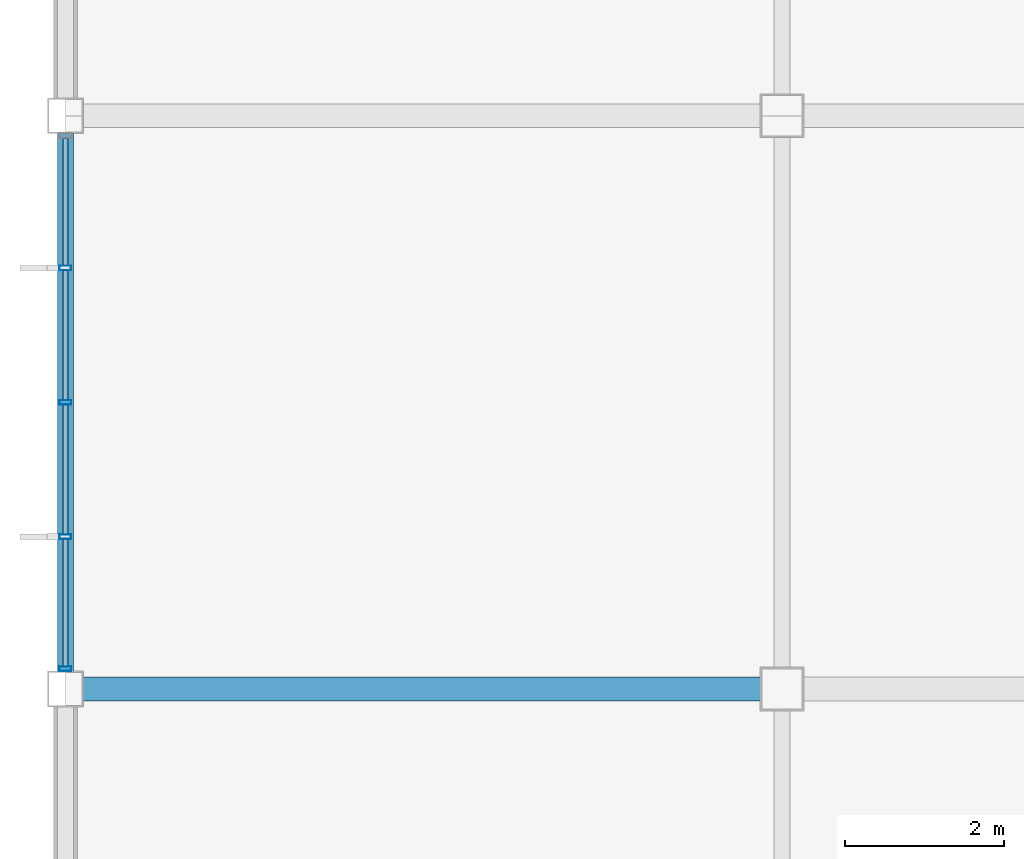
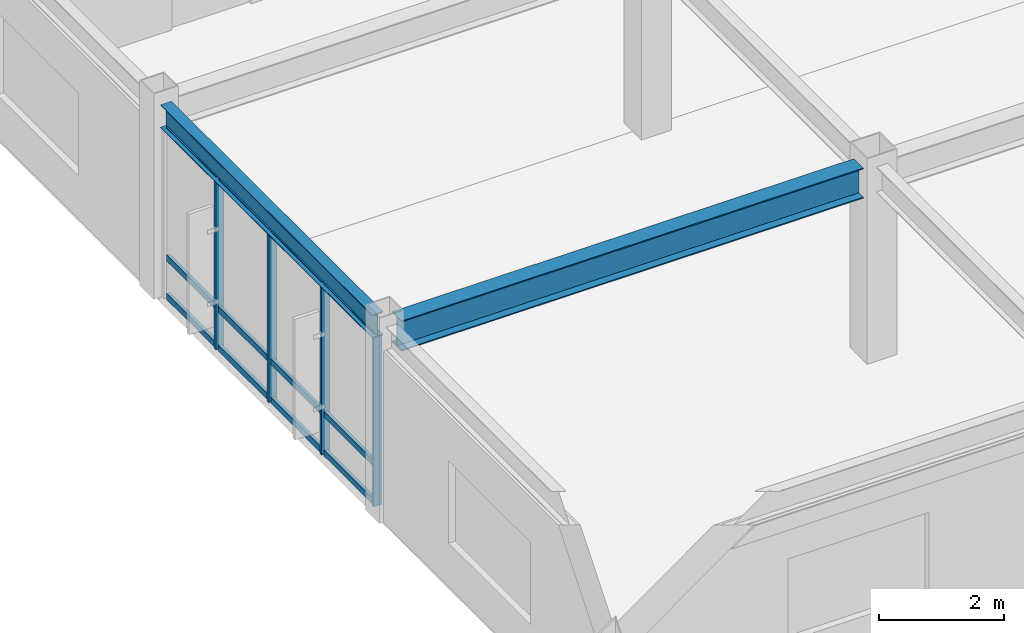
# One storey, part 52 of 113: 16 members, 2 beams, 1 element without a shape of its own.
"""IFC4 building model written with IfcOpenShell, lengths in metres."""

import ifcopenshell
import ifcopenshell.guid

model = None  # the IFC model being written
_history = None  # IfcOwnerHistory: only IFC2X3 demands one
_inside = {}  # id of a spatial element -> (the spatial element, [elements in it])
_under = {}  # id of a project, library or spatial element -> (it, [spatial elements below it])
_declared = {}  # id of a project -> (the project, [libraries it declares])
_typed = {}  # id of a type object -> (the type object, [elements of that type])
_made_of = {}  # id of a material, layer set ... -> (it, [elements and type objects made of it])


def new_model(schema):
    """Start an empty IFC model of exactly this schema.

    Asked for "IFC4X3", IfcOpenShell would pick the latest addendum, in which some entities
    have other attributes; the version numbers below select the first issue.
    IFC2X3 requires an IfcOwnerHistory on every rooted entity: one is made here for all.
    """
    global model, _history
    if schema == "IFC4X3":
        model = ifcopenshell.file(schema_version=(4, 3, 0, 0))
    else:
        model = ifcopenshell.file(schema=schema)
    _inside.clear()
    _under.clear()
    _declared.clear()
    _typed.clear()
    _made_of.clear()
    _history = None
    if model.schema == "IFC2X3":
        org = make("IfcOrganization", Name="unknown")
        user = make(
            "IfcPersonAndOrganization",
            ThePerson=make("IfcPerson", FamilyName="unknown"),
            TheOrganization=org,
        )
        app = make(
            "IfcApplication",
            ApplicationDeveloper=org,
            Version="unknown",
            ApplicationFullName="unknown",
            ApplicationIdentifier="unknown",
        )
        _history = make(
            "IfcOwnerHistory",
            OwningUser=user,
            OwningApplication=app,
            ChangeAction="ADDED",
            CreationDate=0,
        )
    return model


def make(cls, **values):
    """One entity of the class cls with the attributes given. An attribute that is None is left unset."""
    return model.create_entity(
        cls, **{name: value for name, value in values.items() if value is not None}
    )


def rooted(cls, **values):
    """An entity with a GlobalId (a new one), such as an element, a storey or a relation."""
    return make(cls, GlobalId=ifcopenshell.guid.new(), OwnerHistory=_history, **values)


def si_unit(unit_type, name, prefix=None):
    """IfcSIUnit, for example si_unit("LENGTHUNIT", "METRE", prefix="MILLI")."""
    return make("IfcSIUnit", UnitType=unit_type, Prefix=prefix, Name=name)


def assignment(units):
    """IfcUnitAssignment: the units of a project."""
    return None if units is None else make("IfcUnitAssignment", Units=units)


def point(xyz):
    """IfcCartesianPoint."""
    return None if xyz is None else make("IfcCartesianPoint", Coordinates=xyz)


def direction(xyz):
    """IfcDirection."""
    return None if xyz is None else make("IfcDirection", DirectionRatios=xyz)


def frame(location, z_axis=None, x_axis=None):
    """IfcAxis2Placement3D, a coordinate frame: its origin and axes. An axis left out is left unset."""
    return make(
        "IfcAxis2Placement3D",
        Location=point(location),
        Axis=direction(z_axis),
        RefDirection=direction(x_axis),
    )


def frame_2d(location, x_axis=None):
    """IfcAxis2Placement2D, a coordinate frame in the plane: its origin and x axis."""
    return make(
        "IfcAxis2Placement2D", Location=point(location), RefDirection=direction(x_axis)
    )


def origin():
    """The frame at (0, 0, 0) with its axes left unset."""
    return frame((0.0, 0.0, 0.0))


def origin_2d():
    """The frame at (0, 0) in the plane with its x axis left unset."""
    return frame_2d((0.0, 0.0))


def place(relative_to, where):
    """IfcLocalPlacement: puts the frame where relative to a parent placement (None: the world)."""
    return make(
        "IfcLocalPlacement", PlacementRelTo=relative_to, RelativePlacement=where
    )


def context(
    kind, dimensions, precision=None, world=None, true_north=None, identifier=None
):
    """IfcGeometricRepresentationContext, for example the 3D "Model" context."""
    return make(
        "IfcGeometricRepresentationContext",
        ContextIdentifier=identifier,
        ContextType=kind,
        CoordinateSpaceDimension=dimensions,
        Precision=precision,
        WorldCoordinateSystem=world,
        TrueNorth=true_north,
    )


def subcontext(parent, identifier, kind, view, scale=None):
    """IfcGeometricRepresentationSubContext, for example "Body" below "Model"."""
    return make(
        "IfcGeometricRepresentationSubContext",
        ContextIdentifier=identifier,
        ContextType=kind,
        ParentContext=parent,
        TargetScale=scale,
        TargetView=view,
    )


def project(units=None, contexts=None):
    """IfcProject with its units and contexts."""
    return rooted(
        "IfcProject",
        Name="project",
        RepresentationContexts=contexts,
        UnitsInContext=assignment(units),
    )


def spatial(cls, under=None, at=None, **own):
    """A site, building, storey or space (cls), placed at a placement, below another one or the project."""
    s = rooted(cls, ObjectPlacement=at, **own)
    if under is not None:
        _under.setdefault(under.id(), (under, []))[1].append(s)
    return s


def profile(cls, at=None, kind="AREA", **sizes):
    """A parametric profile (cls). Its sizes go by their IFC names, for example OverallWidth=200.0."""
    return make(cls, ProfileType=kind, Position=at, **sizes)


def hollow_rectangle(**sizes):
    """IfcRectangleHollowProfileDef."""
    return profile("IfcRectangleHollowProfileDef", **sizes)


def i_section(**sizes):
    """IfcIShapeProfileDef."""
    return profile("IfcIShapeProfileDef", **sizes)


def extrude(swept, where, along, depth):
    """IfcExtrudedAreaSolid: the profile swept, set in the frame where, extruded along a direction by depth."""
    return make(
        "IfcExtrudedAreaSolid",
        SweptArea=swept,
        Position=where,
        ExtrudedDirection=direction(along),
        Depth=depth,
    )


def shape(context_of_items, identifier, shape_type, items):
    """IfcShapeRepresentation: the items that make up one representation, for example the "Body"."""
    return make(
        "IfcShapeRepresentation",
        ContextOfItems=context_of_items,
        RepresentationIdentifier=identifier,
        RepresentationType=shape_type,
        Items=items,
    )


def material(Name=None, Category=None):
    """IfcMaterial."""
    return make("IfcMaterial", Name=Name, Category=Category)


def material_profile(
    of_material, cross_section, Name=None, Category=None, Priority=None
):
    """IfcMaterialProfile: a cross section and its material."""
    return make(
        "IfcMaterialProfile",
        Name=Name,
        Material=of_material,
        Profile=cross_section,
        Priority=Priority,
        Category=Category,
    )


def profile_set(profiles, Name=None, composite=None):
    """IfcMaterialProfileSet."""
    return make(
        "IfcMaterialProfileSet",
        Name=Name,
        MaterialProfiles=profiles,
        CompositeProfile=composite,
    )


def made_of(thing, what):
    """Note that an element or type object is made of a material, layer set ...; save() writes the relation."""
    if what is not None:
        _made_of.setdefault(what.id(), (what, []))[1].append(thing)
    return thing


def type_object(cls, material=None, **own):
    """A type object (cls), such as IfcWallType, which elements share."""
    return made_of(rooted(cls, **own), material)


def element(
    cls,
    number,
    at=None,
    inside=None,
    cuts=None,
    type_object=None,
    material=None,
    context=None,
    identifier="Body",
    shape_type=None,
    held_by="IfcProductDefinitionShape",
    body=None,
    shapes=None,
    **own,
):
    """One element of the class cls, such as IfcWall. Its Tag is "e" and its number.

    at: its placement. inside: the storey or other place that contains it. cuts: it is an
    opening in that element (IfcRelVoidsElement). A single representation is given by context,
    identifier, shape_type and body (its items); several are given by shapes. held_by: the class
    of the entity that holds the representations. save() writes the other relations.
    """
    e = rooted(cls, Tag="e%d" % number, ObjectPlacement=at, **own)
    if body is not None:
        shapes = [shape(context, identifier, shape_type, body)]
    if shapes is not None:
        e.Representation = make(held_by, Representations=shapes)
    if inside is not None:
        _inside.setdefault(inside.id(), (inside, []))[1].append(e)
    if cuts is not None:
        rooted(
            "IfcRelVoidsElement", RelatingBuildingElement=cuts, RelatedOpeningElement=e
        )
    if type_object is not None:
        _typed.setdefault(type_object.id(), (type_object, []))[1].append(e)
    return made_of(e, material)


def aggregate(whole, parts):
    """IfcRelAggregates: a whole, such as a stair, and the parts it consists of."""
    return rooted("IfcRelAggregates", RelatingObject=whole, RelatedObjects=parts)


def save(model, path):
    """Write the relations noted so far, then the file.

    IfcRelAggregates (storeys below a building ...), IfcRelContainedInSpatialStructure (elements
    in a storey), IfcRelDefinesByType, IfcRelAssociatesMaterial and IfcRelDeclares: one each for
    every whole, place, type object, material and project.
    """
    for whole, parts in _under.values():
        aggregate(whole, parts)
    for where, things in _inside.values():
        rooted(
            "IfcRelContainedInSpatialStructure",
            RelatedElements=things,
            RelatingStructure=where,
        )
    for kind, things in _typed.values():
        rooted("IfcRelDefinesByType", RelatedObjects=things, RelatingType=kind)
    for what, things in _made_of.values():
        rooted("IfcRelAssociatesMaterial", RelatedObjects=things, RelatingMaterial=what)
    for by, libraries in _declared.values():
        rooted("IfcRelDeclares", RelatingContext=by, RelatedDefinitions=libraries)
    model.write(path)


model = new_model("IFC4")

# Units and contexts
model_context = context("Model", 3, precision=1e-05, world=origin(), true_north=direction((0.0, 1.0)))
body_context = subcontext(model_context, "Body", "Model", "MODEL_VIEW")
ifc_project = project(units=[si_unit("LENGTHUNIT", "METRE"), si_unit("AREAUNIT", "SQUARE_METRE"), si_unit("VOLUMEUNIT", "CUBIC_METRE"), si_unit("PLANEANGLEUNIT", "RADIAN"), si_unit("MASSUNIT", "GRAM", prefix="KILO")], contexts=[model_context])

# Site, building, storey
site_placement = place(None, origin())
site = spatial("IfcSite", under=ifc_project, at=site_placement, CompositionType="ELEMENT")
building_placement = place(site_placement, origin())
building = spatial("IfcBuilding", under=site, at=building_placement, Name="Kazanami Central Library", CompositionType="ELEMENT")
storey_placement = place(building_placement, frame((0.0, 0.0, 8.800048828125)))
storey = spatial("IfcBuildingStorey", under=building, at=storey_placement, Name="L03", CompositionType="ELEMENT", Elevation=8.800048828125)

# Beams
ifc_material_1 = material(Name="Steel SN490B (325 MPa)", Category="steel")
ifc_material_profile_1 = material_profile(ifc_material_1, i_section(OverallWidth=0.300048828125, OverallDepth=0.587890625, WebThickness=0.011962890625, FlangeThickness=0.02001953125, at=origin_2d()), Name="H-588x300x12x20")
ifc_profile_set_1 = profile_set([ifc_material_profile_1], Name="Steel SN490B (325 MPa)")
beam_type_1 = type_object("IfcBeamType", Name="BM-G-X2", PredefinedType="BEAM", material=ifc_profile_set_1)
beam_1_placement = place(storey_placement, frame((0.222900390625, 64.800048828125, 3.450927734375), z_axis=(1.0, 0.0, 0.0), x_axis=(0.0, 1.0, 0.0)))
element("IfcBeam", 1, at=beam_1_placement, inside=storey, type_object=beam_type_1, Name="Girder G-X2 L03 K/1-2", PredefinedType="BEAM", context=body_context, shape_type="SweptSolid", body=[
    extrude(i_section(OverallWidth=0.300048828125, OverallDepth=0.587890625, WebThickness=0.011962890625, FlangeThickness=0.02001953125, at=origin_2d()), origin(), (0.0, 0.0, 1.0), 8.504150390625),
])
ifc_material_profile_2 = material_profile(ifc_material_1, i_section(OverallWidth=0.199951171875, OverallDepth=0.449951171875, WebThickness=0.009033203125, FlangeThickness=0.013916015625, at=origin_2d()), Name="H-450x200x9x14")
ifc_profile_set_2 = profile_set([ifc_material_profile_2], Name="Steel SN490B (325 MPa)")
beam_type_2 = type_object("IfcBeamType", Name="BM-SP-2", PredefinedType="SPANDREL", material=ifc_profile_set_2)
beam_2_placement = place(storey_placement, frame((0.0, 65.02294921875, 3.52001953125), z_axis=(0.0, 1.0, 0.0), x_axis=(-1.0, 0.0, 0.0)))
element("IfcBeam", 2, at=beam_2_placement, inside=storey, type_object=beam_type_2, Name="Girder SP-2 L03 1/K-L", PredefinedType="SPANDREL", context=body_context, shape_type="SweptSolid", body=[
    extrude(i_section(OverallWidth=0.199951171875, OverallDepth=0.449951171875, WebThickness=0.009033203125, FlangeThickness=0.013916015625, at=origin_2d()), origin(), (0.0, 0.0, 1.0), 6.754150390625),
])

# Curtain wall, members
ifc_material_2 = material(Name="Acid-Etched Low-E Laminated Glass", Category="glass")
curtain_wall_type = type_object("IfcCurtainWallType", Name="CW-6750x3295-M180", PredefinedType="USERDEFINED", material=ifc_material_2)
curtain_wall_placement = place(storey_placement, origin())
curtain_wall = element("IfcCurtainWall", 3, at=curtain_wall_placement, inside=storey, type_object=curtain_wall_type, Name="Unitised Curtain Wall CW-32 L03 W-1-09", ObjectType="UNITISED CURTAIN WALL", PredefinedType="USERDEFINED")
ifc_material_3 = material(Name="Anodised Aluminium A6063-T5", Category="aluminium")
ifc_material_profile_3 = material_profile(ifc_material_3, hollow_rectangle(XDim=0.06005859375, YDim=0.14990234375, WallThickness=0.00390625, at=origin_2d()), Name="ALU-MULL-60x150x4")
ifc_profile_set_3 = profile_set([ifc_material_profile_3], Name="Anodised Aluminium A6063-T5")
member_type_1 = type_object("IfcMemberType", Name="MEM-CW-M3", PredefinedType="MULLION", material=ifc_profile_set_3)
member_1_placement = place(storey_placement, frame((0.0, 65.054931640625, 0.0), z_axis=(0.0, 0.0, 1.0), x_axis=(0.0, 1.0, 0.0)))
member_1 = element("IfcMember", 4, at=member_1_placement, type_object=member_type_1, Name="CW-32 mullion 1", PredefinedType="MULLION", context=body_context, shape_type="SweptSolid", body=[
    extrude(hollow_rectangle(XDim=0.06005859375, YDim=0.14990234375, WallThickness=0.00390625, at=origin_2d()), origin(), (0.0, 0.0, 1.0), 3.294921875),
])
member_2_placement = place(storey_placement, frame((0.0, 66.71240234375, 0.0), z_axis=(0.0, 0.0, 1.0), x_axis=(0.0, 1.0, 0.0)))
member_2 = element("IfcMember", 5, at=member_2_placement, type_object=member_type_1, Name="CW-32 mullion 2", PredefinedType="MULLION", context=body_context, shape_type="SweptSolid", body=[
    extrude(hollow_rectangle(XDim=0.06005859375, YDim=0.14990234375, WallThickness=0.00390625, at=origin_2d()), origin(), (0.0, 0.0, 1.0), 3.294921875),
])
member_3_placement = place(storey_placement, frame((0.0, 68.39990234375, 0.0), z_axis=(0.0, 0.0, 1.0), x_axis=(0.0, 1.0, 0.0)))
member_3 = element("IfcMember", 6, at=member_3_placement, type_object=member_type_1, Name="CW-32 mullion 3", PredefinedType="MULLION", context=body_context, shape_type="SweptSolid", body=[
    extrude(hollow_rectangle(XDim=0.06005859375, YDim=0.14990234375, WallThickness=0.00390625, at=origin_2d()), origin(), (0.0, 0.0, 1.0), 3.294921875),
])
member_4_placement = place(storey_placement, frame((0.0, 70.08740234375, 0.0), z_axis=(0.0, 0.0, 1.0), x_axis=(0.0, 1.0, 0.0)))
member_4 = element("IfcMember", 7, at=member_4_placement, type_object=member_type_1, Name="CW-32 mullion 4", PredefinedType="MULLION", context=body_context, shape_type="SweptSolid", body=[
    extrude(hollow_rectangle(XDim=0.06005859375, YDim=0.14990234375, WallThickness=0.00390625, at=origin_2d()), origin(), (0.0, 0.0, 1.0), 3.294921875),
])
ifc_material_profile_4 = material_profile(ifc_material_3, hollow_rectangle(XDim=0.06005859375, YDim=0.1201171875, WallThickness=0.00341796875, at=origin_2d()), Name="ALU-TRAN-60x120x3.5")
ifc_profile_set_4 = profile_set([ifc_material_profile_4], Name="Anodised Aluminium A6063-T5")
member_type_2 = type_object("IfcMemberType", Name="MEM-CW-T3", PredefinedType="USERDEFINED", material=ifc_profile_set_4)
member_5_placement = place(storey_placement, frame((0.0, 65.0849609375, 0.030029296875), z_axis=(0.0, 1.0, 0.0), x_axis=(-1.0, 0.0, 0.0)))
member_5 = element("IfcMember", 8, at=member_5_placement, type_object=member_type_2, Name="CW-32 transom 1.1", ObjectType="TRANSOM", PredefinedType="USERDEFINED", context=body_context, shape_type="SweptSolid", body=[
    extrude(hollow_rectangle(XDim=0.06005859375, YDim=0.1201171875, WallThickness=0.00341796875, at=origin_2d()), origin(), (0.0, 0.0, 1.0), 1.59765625),
])
member_6_placement = place(storey_placement, frame((0.0, 65.0849609375, 0.780029296875), z_axis=(0.0, 1.0, 0.0), x_axis=(-1.0, 0.0, 0.0)))
member_6 = element("IfcMember", 9, at=member_6_placement, type_object=member_type_2, Name="CW-32 transom 1.2", ObjectType="TRANSOM", PredefinedType="USERDEFINED", context=body_context, shape_type="SweptSolid", body=[
    extrude(hollow_rectangle(XDim=0.06005859375, YDim=0.1201171875, WallThickness=0.00341796875, at=origin_2d()), origin(), (0.0, 0.0, 1.0), 1.59765625),
])
member_7_placement = place(storey_placement, frame((0.0, 65.0849609375, 3.264892578125), z_axis=(0.0, 1.0, 0.0), x_axis=(-1.0, 0.0, 0.0)))
member_7 = element("IfcMember", 10, at=member_7_placement, type_object=member_type_2, Name="CW-32 transom 1.3", ObjectType="TRANSOM", PredefinedType="USERDEFINED", context=body_context, shape_type="SweptSolid", body=[
    extrude(hollow_rectangle(XDim=0.06005859375, YDim=0.1201171875, WallThickness=0.00341796875, at=origin_2d()), origin(), (0.0, 0.0, 1.0), 1.59765625),
])
member_8_placement = place(storey_placement, frame((0.0, 66.742431640625, 0.030029296875), z_axis=(0.0, 1.0, 0.0), x_axis=(-1.0, 0.0, 0.0)))
member_8 = element("IfcMember", 11, at=member_8_placement, type_object=member_type_2, Name="CW-32 transom 2.1", ObjectType="TRANSOM", PredefinedType="USERDEFINED", context=body_context, shape_type="SweptSolid", body=[
    extrude(hollow_rectangle(XDim=0.06005859375, YDim=0.1201171875, WallThickness=0.00341796875, at=origin_2d()), origin(), (0.0, 0.0, 1.0), 1.627685546875),
])
member_9_placement = place(storey_placement, frame((0.0, 66.742431640625, 0.780029296875), z_axis=(0.0, 1.0, 0.0), x_axis=(-1.0, 0.0, 0.0)))
member_9 = element("IfcMember", 12, at=member_9_placement, type_object=member_type_2, Name="CW-32 transom 2.2", ObjectType="TRANSOM", PredefinedType="USERDEFINED", context=body_context, shape_type="SweptSolid", body=[
    extrude(hollow_rectangle(XDim=0.06005859375, YDim=0.1201171875, WallThickness=0.00341796875, at=origin_2d()), origin(), (0.0, 0.0, 1.0), 1.627685546875),
])
member_10_placement = place(storey_placement, frame((0.0, 66.742431640625, 3.264892578125), z_axis=(0.0, 1.0, 0.0), x_axis=(-1.0, 0.0, 0.0)))
member_10 = element("IfcMember", 13, at=member_10_placement, type_object=member_type_2, Name="CW-32 transom 2.3", ObjectType="TRANSOM", PredefinedType="USERDEFINED", context=body_context, shape_type="SweptSolid", body=[
    extrude(hollow_rectangle(XDim=0.06005859375, YDim=0.1201171875, WallThickness=0.00341796875, at=origin_2d()), origin(), (0.0, 0.0, 1.0), 1.627685546875),
])
member_11_placement = place(storey_placement, frame((0.0, 68.429931640625, 0.030029296875), z_axis=(0.0, 1.0, 0.0), x_axis=(-1.0, 0.0, 0.0)))
member_11 = element("IfcMember", 14, at=member_11_placement, type_object=member_type_2, Name="CW-32 transom 3.1", ObjectType="TRANSOM", PredefinedType="USERDEFINED", context=body_context, shape_type="SweptSolid", body=[
    extrude(hollow_rectangle(XDim=0.06005859375, YDim=0.1201171875, WallThickness=0.00341796875, at=origin_2d()), origin(), (0.0, 0.0, 1.0), 1.627685546875),
])
member_12_placement = place(storey_placement, frame((0.0, 68.429931640625, 0.780029296875), z_axis=(0.0, 1.0, 0.0), x_axis=(-1.0, 0.0, 0.0)))
member_12 = element("IfcMember", 15, at=member_12_placement, type_object=member_type_2, Name="CW-32 transom 3.2", ObjectType="TRANSOM", PredefinedType="USERDEFINED", context=body_context, shape_type="SweptSolid", body=[
    extrude(hollow_rectangle(XDim=0.06005859375, YDim=0.1201171875, WallThickness=0.00341796875, at=origin_2d()), origin(), (0.0, 0.0, 1.0), 1.627685546875),
])
member_13_placement = place(storey_placement, frame((0.0, 68.429931640625, 3.264892578125), z_axis=(0.0, 1.0, 0.0), x_axis=(-1.0, 0.0, 0.0)))
member_13 = element("IfcMember", 16, at=member_13_placement, type_object=member_type_2, Name="CW-32 transom 3.3", ObjectType="TRANSOM", PredefinedType="USERDEFINED", context=body_context, shape_type="SweptSolid", body=[
    extrude(hollow_rectangle(XDim=0.06005859375, YDim=0.1201171875, WallThickness=0.00341796875, at=origin_2d()), origin(), (0.0, 0.0, 1.0), 1.627685546875),
])
member_14_placement = place(storey_placement, frame((0.0, 70.117431640625, 0.030029296875), z_axis=(0.0, 1.0, 0.0), x_axis=(-1.0, 0.0, 0.0)))
member_14 = element("IfcMember", 17, at=member_14_placement, type_object=member_type_2, Name="CW-32 transom 4.1", ObjectType="TRANSOM", PredefinedType="USERDEFINED", context=body_context, shape_type="SweptSolid", body=[
    extrude(hollow_rectangle(XDim=0.06005859375, YDim=0.1201171875, WallThickness=0.00341796875, at=origin_2d()), origin(), (0.0, 0.0, 1.0), 1.59765625),
])
member_15_placement = place(storey_placement, frame((0.0, 70.117431640625, 0.780029296875), z_axis=(0.0, 1.0, 0.0), x_axis=(-1.0, 0.0, 0.0)))
member_15 = element("IfcMember", 18, at=member_15_placement, type_object=member_type_2, Name="CW-32 transom 4.2", ObjectType="TRANSOM", PredefinedType="USERDEFINED", context=body_context, shape_type="SweptSolid", body=[
    extrude(hollow_rectangle(XDim=0.06005859375, YDim=0.1201171875, WallThickness=0.00341796875, at=origin_2d()), origin(), (0.0, 0.0, 1.0), 1.59765625),
])
member_16_placement = place(storey_placement, frame((0.0, 70.117431640625, 3.264892578125), z_axis=(0.0, 1.0, 0.0), x_axis=(-1.0, 0.0, 0.0)))
member_16 = element("IfcMember", 19, at=member_16_placement, type_object=member_type_2, Name="CW-32 transom 4.3", ObjectType="TRANSOM", PredefinedType="USERDEFINED", context=body_context, shape_type="SweptSolid", body=[
    extrude(hollow_rectangle(XDim=0.06005859375, YDim=0.1201171875, WallThickness=0.00341796875, at=origin_2d()), origin(), (0.0, 0.0, 1.0), 1.59765625),
])
aggregate(curtain_wall, [member_1, member_2, member_3, member_4, member_5, member_6, member_7, member_8, member_9, member_10, member_11, member_12, member_13, member_14, member_15, member_16])

save(model, "model.ifc")
